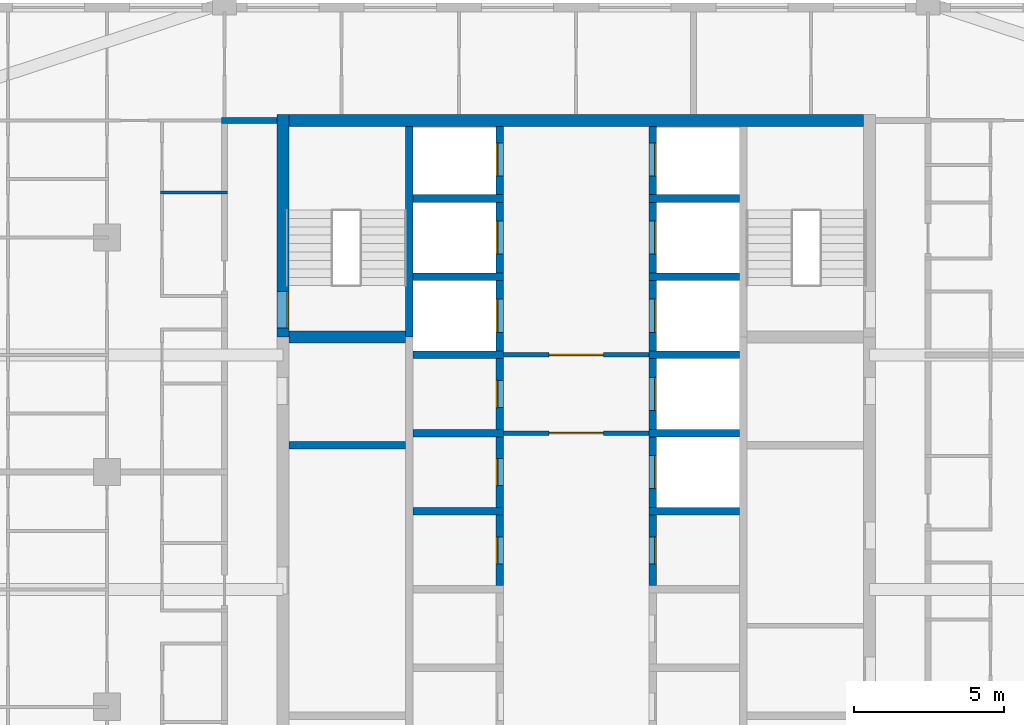
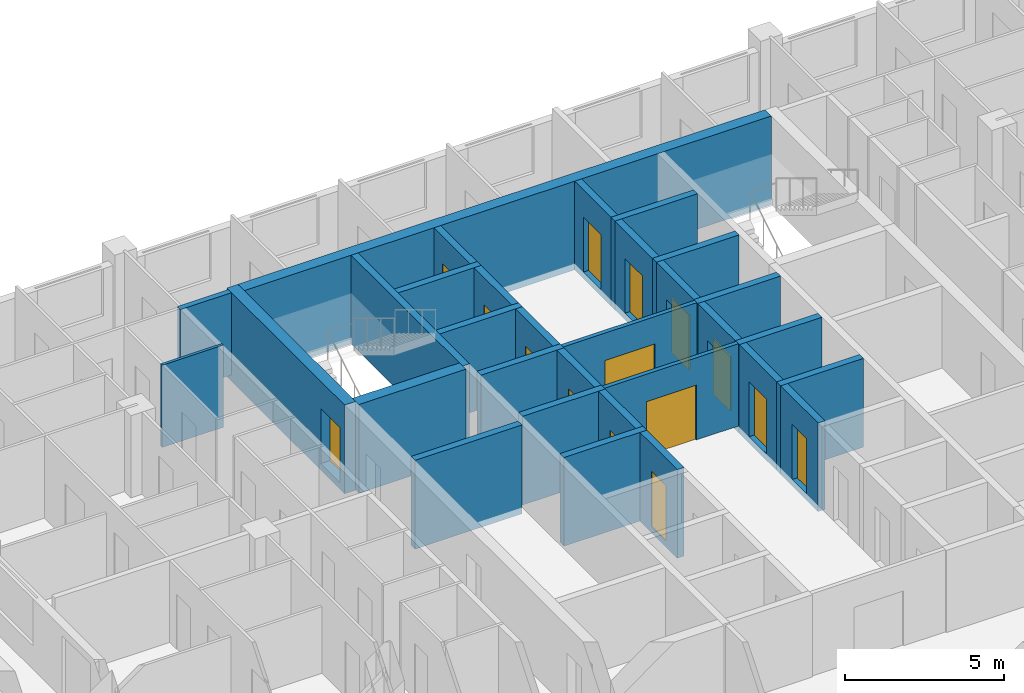
# One storey, part 9 of 17: 31 walls, 15 doors, 15 openings.
"""IFC4 building model written with IfcOpenShell, lengths in metres."""

from ifc_helpers import new_model, si_unit, direction, frame, frame_2d, origin, place, context, subcontext, project, spatial, rectangle, extrude, material, layer, layer_set, type_object, element, fill, save


model = new_model("IFC4")

# Units and contexts
model_context = context("Model", 3, precision=1e-05, world=origin(), true_north=direction((0.0, 1.0)))
body_context = subcontext(model_context, "Body", "Model", "MODEL_VIEW")
ifc_project = project(units=[si_unit("LENGTHUNIT", "METRE"), si_unit("AREAUNIT", "SQUARE_METRE"), si_unit("VOLUMEUNIT", "CUBIC_METRE"), si_unit("PLANEANGLEUNIT", "RADIAN"), si_unit("MASSUNIT", "GRAM", prefix="KILO")], contexts=[model_context])

# Site, building, storey
site_placement = place(None, origin())
site = spatial("IfcSite", under=ifc_project, at=site_placement, CompositionType="ELEMENT")
building_placement = place(site_placement, origin())
building = spatial("IfcBuilding", under=site, at=building_placement, Name="Ludao Terraces", CompositionType="ELEMENT")
storey_placement = place(building_placement, frame((0.0, 0.0, 221.10009765625)))
storey = spatial("IfcBuildingStorey", under=building, at=storey_placement, Name="L60", CompositionType="ELEMENT", Elevation=221.10009765625)

# Wall, opening, door
ifc_material_1 = material(Name="Concrete C50", Category="concrete")
ifc_layer_1 = layer(ifc_material_1, 0.39990234375)
ifc_layer_set_1 = layer_set([ifc_layer_1], Name="Core wall 400 C50")
wall_type_1 = type_object("IfcWallType", Name="Core wall 400 C50", PredefinedType="SOLIDWALL", material=ifc_layer_set_1)
wall_1_placement = place(storey_placement, frame((75.25, 77.300048828125, -0.25), z_axis=(0.0, 0.0, 1.0), x_axis=(0.0, 1.0, 0.0)))
wall_1 = element("IfcWall", 1, at=wall_1_placement, inside=storey, type_object=wall_type_1, Name="Core wall L60 outer-W-S1", PredefinedType="SOLIDWALL", context=body_context, shape_type="SweptSolid", body=[
    extrude(rectangle(XDim=7.39990234375, YDim=0.39990234375, at=frame_2d((3.699951171875, 0.0))), origin(), (0.0, 0.0, 1.0), 3.39990234375),
])
opening_1_placement = place(wall_1_placement, frame((0.300048828125, 0.0, 0.25)))
opening_1 = element("IfcOpeningElement", 2, at=opening_1_placement, cuts=wall_1, Name="Opening R21-110", PredefinedType="OPENING", context=body_context, shape_type="SweptSolid", body=[
    extrude(rectangle(XDim=1.199951171875, YDim=2.10009765625, at=frame_2d((0.60009765625, 1.050048828125))), frame((0.0, 0.2099609375, 0.0), z_axis=(0.0, -1.0, 0.0), x_axis=(1.0, 0.0, 0.0)), (0.0, 0.0, 1.0), 0.419921875),
])
ifc_material_2 = material(Name="Steel Q235", Category="steel")
door_type_1 = type_object("IfcDoorType", Name="INT Stair door 1200", OperationType="DOUBLE_DOOR_SINGLE_SWING", PredefinedType="DOOR", material=ifc_material_2)
door_1_placement = place(opening_1_placement, origin())
door_1 = element("IfcDoor", 3, at=door_1_placement, inside=storey, type_object=door_type_1, Name="DOOR 110", OperationType="DOUBLE_DOOR_SINGLE_SWING", OverallHeight=2.10009765625, OverallWidth=1.199951171875, PredefinedType="DOOR", context=body_context, shape_type="SweptSolid", body=[
    extrude(rectangle(XDim=1.199951171875, YDim=2.10009765625, at=frame_2d((0.60009765625, 1.050048828125))), frame((0.0, -0.134765625, 0.0), z_axis=(0.0, -1.0, 0.0), x_axis=(1.0, 0.0, 0.0)), (0.0, 0.0, 1.0), 0.050048828125),
])
fill(opening_1, door_1)

# Wall
wall_2_placement = place(storey_placement, frame((75.449951171875, 84.5, -0.25), z_axis=(0.0, 0.0, 1.0), x_axis=(1.0, 0.0, 0.0)))
element("IfcWall", 4, at=wall_2_placement, inside=storey, type_object=wall_type_1, Name="Core wall L60 outer-N", PredefinedType="SOLIDWALL", context=body_context, shape_type="SweptSolid", body=[
    extrude(rectangle(XDim=19.10009765625, YDim=0.39990234375, at=frame_2d((9.550048828125, 0.0))), origin(), (0.0, 0.0, 1.0), 3.39990234375),
])

# Wall, opening, door
ifc_material_3 = material(Name="Fire-rated gypsum plasterboard", Category="gypsum")
ifc_layer_2 = layer(ifc_material_3, 0.012451171875, Category="gypsum")
ifc_material_4 = material(Name="Mineral wool")
ifc_layer_3 = layer(ifc_material_4, 0.10009765625, Name="insulation")
ifc_layer_4 = layer(ifc_material_2, 0.02490234375, Name="stud")
ifc_layer_5 = layer(ifc_material_3, 0.012451171875, Category="gypsum")
ifc_layer_set_2 = layer_set([ifc_layer_2, ifc_layer_3, ifc_layer_4, ifc_layer_5], Name="INT Core partition 150")
wall_type_2 = type_object("IfcWallType", Name="INT Core partition 150", PredefinedType="PARTITIONING", material=ifc_layer_set_2)
wall_3_placement = place(storey_placement, frame((82.5751953125, 74.10009765625, 0.0), z_axis=(0.0, 0.0, 1.0), x_axis=(1.0, 0.0, 0.0)))
wall_3 = element("IfcWall", 5, at=wall_3_placement, inside=storey, type_object=wall_type_2, Name="PW-L60-PW048", PredefinedType="PARTITIONING", context=body_context, shape_type="SweptSolid", body=[
    extrude(rectangle(XDim=4.849853515625, YDim=0.14990234375, at=frame_2d((2.4248046875, 0.0))), origin(), (0.0, 0.0, 1.0), 3.14990234375),
])
opening_2_placement = place(wall_3_placement, frame((1.52490234375, 0.0, 0.0)))
opening_2 = element("IfcOpeningElement", 6, at=opening_2_placement, cuts=wall_3, Name="Opening R21-094", PredefinedType="OPENING", context=body_context, shape_type="SweptSolid", body=[
    extrude(rectangle(XDim=1.800048828125, YDim=2.10009765625, at=frame_2d((0.89990234375, 1.050048828125))), frame((0.0, 0.0849609375, 0.0), z_axis=(0.0, -1.0, 0.0), x_axis=(1.0, 0.0, 0.0)), (0.0, 0.0, 1.0), 0.169921875),
])
door_type_2 = type_object("IfcDoorType", Name="INT Fire lobby door 1800", OperationType="DOUBLE_DOOR_SINGLE_SWING", PredefinedType="DOOR", material=ifc_material_2)
door_2_placement = place(opening_2_placement, origin())
door_2 = element("IfcDoor", 7, at=door_2_placement, inside=storey, type_object=door_type_2, Name="DOOR 094", OperationType="DOUBLE_DOOR_SINGLE_SWING", OverallHeight=2.10009765625, OverallWidth=1.800048828125, PredefinedType="DOOR", context=body_context, shape_type="SweptSolid", body=[
    extrude(rectangle(XDim=1.800048828125, YDim=2.10009765625, at=frame_2d((0.89990234375, 1.050048828125))), frame((0.0, 0.02490234375, 0.0), z_axis=(0.0, -1.0, 0.0), x_axis=(1.0, 0.0, 0.0)), (0.0, 0.0, 1.0), 0.050048828125),
])
fill(opening_2, door_2)

wall_4_placement = place(storey_placement, frame((82.5751953125, 76.699951171875, 0.0), z_axis=(0.0, 0.0, 1.0), x_axis=(1.0, 0.0, 0.0)))
wall_4 = element("IfcWall", 8, at=wall_4_placement, inside=storey, type_object=wall_type_2, Name="PW-L60-PW053", PredefinedType="PARTITIONING", context=body_context, shape_type="SweptSolid", body=[
    extrude(rectangle(XDim=4.849853515625, YDim=0.14990234375, at=frame_2d((2.4248046875, 0.0))), origin(), (0.0, 0.0, 1.0), 3.14990234375),
])
opening_3_placement = place(wall_4_placement, frame((1.52490234375, 0.0, 0.0)))
opening_3 = element("IfcOpeningElement", 9, at=opening_3_placement, cuts=wall_4, Name="Opening R21-106", PredefinedType="OPENING", context=body_context, shape_type="SweptSolid", body=[
    extrude(rectangle(XDim=1.800048828125, YDim=2.10009765625, at=frame_2d((0.89990234375, 1.050048828125))), frame((0.0, 0.0849609375, 0.0), z_axis=(0.0, -1.0, 0.0), x_axis=(1.0, 0.0, 0.0)), (0.0, 0.0, 1.0), 0.169921875),
])
door_3_placement = place(opening_3_placement, origin())
door_3 = element("IfcDoor", 10, at=door_3_placement, inside=storey, type_object=door_type_2, Name="DOOR 106", OperationType="DOUBLE_DOOR_SINGLE_SWING", OverallHeight=2.10009765625, OverallWidth=1.800048828125, PredefinedType="DOOR", context=body_context, shape_type="SweptSolid", body=[
    extrude(rectangle(XDim=1.800048828125, YDim=2.10009765625, at=frame_2d((0.89990234375, 1.050048828125))), frame((0.0, 0.02490234375, 0.0), z_axis=(0.0, -1.0, 0.0), x_axis=(1.0, 0.0, 0.0)), (0.0, 0.0, 1.0), 0.050048828125),
])
fill(opening_3, door_3)

# Walls
ifc_material_5 = material(Name="Autoclaved aerated concrete block B06 A3.5", Category="concrete")
ifc_layer_6 = layer(ifc_material_5, 0.199951171875)
ifc_layer_set_3 = layer_set([ifc_layer_6], Name="INT Entrance wall 200")
wall_type_3 = type_object("IfcWallType", Name="INT Entrance wall 200", PredefinedType="PARTITIONING", material=ifc_layer_set_3)
wall_5_placement = place(storey_placement, frame((73.2001953125, 84.5, 0.0), z_axis=(0.0, 0.0, 1.0), x_axis=(1.0, 0.0, 0.0)))
element("IfcWall", 11, at=wall_5_placement, inside=storey, type_object=wall_type_3, Name="PW-L60-PW067", PredefinedType="PARTITIONING", context=body_context, shape_type="SweptSolid", body=[
    extrude(rectangle(XDim=1.849853515625, YDim=0.199951171875, at=frame_2d((0.9248046875, 0.0))), origin(), (0.0, 0.0, 1.0), 3.14990234375),
])
ifc_material_6 = material(Name="Gypsum plasterboard", Category="gypsum")
ifc_layer_7 = layer(ifc_material_6, 0.012451171875, Category="gypsum")
ifc_layer_8 = layer(ifc_material_4, 0.06005859375, Name="insulation")
ifc_layer_9 = layer(ifc_material_2, 0.014892578125, Name="stud")
ifc_layer_10 = layer(ifc_material_6, 0.012451171875, Category="gypsum")
ifc_layer_set_4 = layer_set([ifc_layer_7, ifc_layer_8, ifc_layer_9, ifc_layer_10], Name="INT Partition 100")
wall_type_4 = type_object("IfcWallType", Name="INT Partition 100", PredefinedType="PARTITIONING", material=ifc_layer_set_4)
wall_6_placement = place(storey_placement, frame((71.18017578125, 82.10009765625, 0.0), z_axis=(0.0, 0.0, 1.0), x_axis=(1.0, 0.0, 0.0)))
element("IfcWall", 12, at=wall_6_placement, inside=storey, type_object=wall_type_4, Name="PW-L60-PW062", PredefinedType="PARTITIONING", context=body_context, shape_type="SweptSolid", body=[
    extrude(rectangle(XDim=2.219970703125, YDim=0.10009765625, at=frame_2d((1.10986328125, 0.0))), origin(), (0.0, 0.0, 1.0), 3.14990234375),
])
ifc_layer_11 = layer(ifc_material_1, 0.25)
ifc_layer_set_5 = layer_set([ifc_layer_11], Name="Shaft wall 250 C50")
wall_type_5 = type_object("IfcWallType", Name="Shaft wall 250 C50", PredefinedType="SOLIDWALL", material=ifc_layer_set_5)
wall_7_placement = place(storey_placement, frame((79.449951171875, 77.300048828125, -0.25), z_axis=(0.0, 0.0, 1.0), x_axis=(0.0, 1.0, 0.0)))
element("IfcWall", 13, at=wall_7_placement, inside=storey, type_object=wall_type_5, Name="Core wall L60 back-W-S1", PredefinedType="SOLIDWALL", context=body_context, shape_type="SweptSolid", body=[
    extrude(rectangle(XDim=7.0, YDim=0.25, at=frame_2d((3.5, 0.0))), origin(), (0.0, 0.0, 1.0), 3.39990234375),
])

# Wall, opening, door
wall_8_placement = place(storey_placement, frame((82.449951171875, 69.02490234375, -0.25), z_axis=(0.0, 0.0, 1.0), x_axis=(0.0, 1.0, 0.0)))
wall_8 = element("IfcWall", 14, at=wall_8_placement, inside=storey, type_object=wall_type_5, Name="Core wall L60 front-W4", PredefinedType="SOLIDWALL", context=body_context, shape_type="SweptSolid", body=[
    extrude(rectangle(XDim=2.35009765625, YDim=0.25, at=frame_2d((1.175048828125, 0.0))), origin(), (0.0, 0.0, 1.0), 3.39990234375),
])
opening_4_placement = place(wall_8_placement, frame((0.72509765625, 0.0, 0.25)))
opening_4 = element("IfcOpeningElement", 15, at=opening_4_placement, cuts=wall_8, Name="Opening R21-080", PredefinedType="OPENING", context=body_context, shape_type="SweptSolid", body=[
    extrude(rectangle(XDim=0.89990234375, YDim=2.10009765625, at=frame_2d((0.449951171875, 1.050048828125))), frame((0.0, 0.135009765625, 0.0), z_axis=(0.0, -1.0, 0.0), x_axis=(1.0, 0.0, 0.0)), (0.0, 0.0, 1.0), 0.27001953125),
])
ifc_material_7 = material(Name="Timber door leaf", Category="wood")
door_type_3 = type_object("IfcDoorType", Name="INT Room door 900", OperationType="SINGLE_SWING_LEFT", PredefinedType="DOOR", material=ifc_material_7)
door_4_placement = place(opening_4_placement, origin())
door_4 = element("IfcDoor", 16, at=door_4_placement, inside=storey, type_object=door_type_3, Name="DOOR 080", OperationType="SINGLE_SWING_LEFT", OverallHeight=2.10009765625, OverallWidth=0.89990234375, PredefinedType="DOOR", context=body_context, shape_type="SweptSolid", body=[
    extrude(rectangle(XDim=0.89990234375, YDim=2.10009765625, at=frame_2d((0.449951171875, 1.050048828125))), frame((0.0, 0.10986328125, 0.0), z_axis=(0.0, -1.0, 0.0), x_axis=(1.0, 0.0, 0.0)), (0.0, 0.0, 1.0), 0.050048828125),
])
fill(opening_4, door_4)

# Wall
wall_9_placement = place(storey_placement, frame((79.574951171875, 71.5, -0.25), z_axis=(0.0, 0.0, 1.0), x_axis=(1.0, 0.0, 0.0)))
element("IfcWall", 17, at=wall_9_placement, inside=storey, type_object=wall_type_5, Name="Core wall L60 div-W5", PredefinedType="SOLIDWALL", context=body_context, shape_type="SweptSolid", body=[
    extrude(rectangle(XDim=3.0, YDim=0.25, at=frame_2d((1.5, 0.0))), origin(), (0.0, 0.0, 1.0), 3.39990234375),
])

# Wall, opening, door
wall_10_placement = place(storey_placement, frame((82.449951171875, 71.625, -0.25), z_axis=(0.0, 0.0, 1.0), x_axis=(0.0, 1.0, 0.0)))
wall_10 = element("IfcWall", 18, at=wall_10_placement, inside=storey, type_object=wall_type_5, Name="Core wall L60 front-W5", PredefinedType="SOLIDWALL", context=body_context, shape_type="SweptSolid", body=[
    extrude(rectangle(XDim=2.35009765625, YDim=0.25, at=frame_2d((1.175048828125, 0.0))), origin(), (0.0, 0.0, 1.0), 3.39990234375),
])
opening_5_placement = place(wall_10_placement, frame((0.72509765625, 0.0, 0.25)))
opening_5 = element("IfcOpeningElement", 19, at=opening_5_placement, cuts=wall_10, Name="Opening R21-090", PredefinedType="OPENING", context=body_context, shape_type="SweptSolid", body=[
    extrude(rectangle(XDim=0.89990234375, YDim=2.10009765625, at=frame_2d((0.449951171875, 1.050048828125))), frame((0.0, 0.135009765625, 0.0), z_axis=(0.0, -1.0, 0.0), x_axis=(1.0, 0.0, 0.0)), (0.0, 0.0, 1.0), 0.27001953125),
])
door_5_placement = place(opening_5_placement, origin())
door_5 = element("IfcDoor", 20, at=door_5_placement, inside=storey, type_object=door_type_3, Name="DOOR 090", OperationType="SINGLE_SWING_RIGHT", OverallHeight=2.10009765625, OverallWidth=0.89990234375, PredefinedType="DOOR", context=body_context, shape_type="SweptSolid", body=[
    extrude(rectangle(XDim=0.89990234375, YDim=2.10009765625, at=frame_2d((0.449951171875, 1.050048828125))), frame((0.0, 0.10986328125, 0.0), z_axis=(0.0, -1.0, 0.0), x_axis=(1.0, 0.0, 0.0)), (0.0, 0.0, 1.0), 0.050048828125),
])
fill(opening_5, door_5)

# Wall
wall_11_placement = place(storey_placement, frame((79.574951171875, 74.10009765625, -0.25), z_axis=(0.0, 0.0, 1.0), x_axis=(1.0, 0.0, 0.0)))
element("IfcWall", 21, at=wall_11_placement, inside=storey, type_object=wall_type_5, Name="Core wall L60 div-W6", PredefinedType="SOLIDWALL", context=body_context, shape_type="SweptSolid", body=[
    extrude(rectangle(XDim=3.0, YDim=0.25, at=frame_2d((1.5, 0.0))), origin(), (0.0, 0.0, 1.0), 3.39990234375),
])

# Wall, opening, door
wall_12_placement = place(storey_placement, frame((82.449951171875, 74.22509765625, -0.25), z_axis=(0.0, 0.0, 1.0), x_axis=(0.0, 1.0, 0.0)))
wall_12 = element("IfcWall", 22, at=wall_12_placement, inside=storey, type_object=wall_type_5, Name="Core wall L60 front-W6", PredefinedType="SOLIDWALL", context=body_context, shape_type="SweptSolid", body=[
    extrude(rectangle(XDim=2.349853515625, YDim=0.25, at=frame_2d((1.1748046875, 0.0))), origin(), (0.0, 0.0, 1.0), 3.39990234375),
])
opening_6_placement = place(wall_12_placement, frame((0.72509765625, 0.0, 0.25)))
opening_6 = element("IfcOpeningElement", 23, at=opening_6_placement, cuts=wall_12, Name="Opening R21-097", PredefinedType="OPENING", context=body_context, shape_type="SweptSolid", body=[
    extrude(rectangle(XDim=0.89990234375, YDim=2.10009765625, at=frame_2d((0.449951171875, 1.050048828125))), frame((0.0, 0.135009765625, 0.0), z_axis=(0.0, -1.0, 0.0), x_axis=(1.0, 0.0, 0.0)), (0.0, 0.0, 1.0), 0.27001953125),
])
door_6_placement = place(opening_6_placement, origin())
door_6 = element("IfcDoor", 24, at=door_6_placement, inside=storey, type_object=door_type_3, Name="DOOR 097", OperationType="SINGLE_SWING_LEFT", OverallHeight=2.10009765625, OverallWidth=0.89990234375, PredefinedType="DOOR", context=body_context, shape_type="SweptSolid", body=[
    extrude(rectangle(XDim=0.89990234375, YDim=2.10009765625, at=frame_2d((0.449951171875, 1.050048828125))), frame((0.0, 0.10986328125, 0.0), z_axis=(0.0, -1.0, 0.0), x_axis=(1.0, 0.0, 0.0)), (0.0, 0.0, 1.0), 0.050048828125),
])
fill(opening_6, door_6)

# Wall
wall_13_placement = place(storey_placement, frame((79.574951171875, 76.699951171875, -0.25), z_axis=(0.0, 0.0, 1.0), x_axis=(1.0, 0.0, 0.0)))
element("IfcWall", 25, at=wall_13_placement, inside=storey, type_object=wall_type_5, Name="Core wall L60 div-W7", PredefinedType="SOLIDWALL", context=body_context, shape_type="SweptSolid", body=[
    extrude(rectangle(XDim=3.0, YDim=0.25, at=frame_2d((1.5, 0.0))), origin(), (0.0, 0.0, 1.0), 3.39990234375),
])

# Wall, opening, door
wall_14_placement = place(storey_placement, frame((82.449951171875, 76.824951171875, -0.25), z_axis=(0.0, 0.0, 1.0), x_axis=(0.0, 1.0, 0.0)))
wall_14 = element("IfcWall", 26, at=wall_14_placement, inside=storey, type_object=wall_type_5, Name="Core wall L60 front-W7", PredefinedType="SOLIDWALL", context=body_context, shape_type="SweptSolid", body=[
    extrude(rectangle(XDim=2.35009765625, YDim=0.25, at=frame_2d((1.175048828125, 0.0))), origin(), (0.0, 0.0, 1.0), 3.39990234375),
])
opening_7_placement = place(wall_14_placement, frame((0.625, 0.0, 0.25)))
opening_7 = element("IfcOpeningElement", 27, at=opening_7_placement, cuts=wall_14, Name="Opening LD-FF1", PredefinedType="OPENING", context=body_context, shape_type="SweptSolid", body=[
    extrude(rectangle(XDim=1.10009765625, YDim=2.10009765625, at=frame_2d((0.550048828125, 1.050048828125))), frame((0.0, 0.135009765625, 0.0), z_axis=(0.0, -1.0, 0.0), x_axis=(1.0, 0.0, 0.0)), (0.0, 0.0, 1.0), 0.27001953125),
])
ifc_material_8 = material(Name="Stainless steel 304", Category="steel")
door_type_4 = type_object("IfcDoorType", Name="INT Lift landing door 1100", OperationType="SLIDING_TO_LEFT", PredefinedType="DOOR", material=ifc_material_8)
door_7_placement = place(opening_7_placement, origin())
door_7 = element("IfcDoor", 28, at=door_7_placement, inside=storey, type_object=door_type_4, Name="LANDING DOOR FF1 L60", OperationType="SLIDING_TO_LEFT", OverallHeight=2.10009765625, OverallWidth=1.10009765625, PredefinedType="DOOR", context=body_context, shape_type="SweptSolid", body=[
    extrude(rectangle(XDim=1.10009765625, YDim=2.10009765625, at=frame_2d((0.550048828125, 1.050048828125))), frame((0.0, 0.10986328125, 0.0), z_axis=(0.0, -1.0, 0.0), x_axis=(1.0, 0.0, 0.0)), (0.0, 0.0, 1.0), 0.050048828125),
])
fill(opening_7, door_7)

# Wall
wall_15_placement = place(storey_placement, frame((79.574951171875, 79.300048828125, -0.25), z_axis=(0.0, 0.0, 1.0), x_axis=(1.0, 0.0, 0.0)))
element("IfcWall", 29, at=wall_15_placement, inside=storey, type_object=wall_type_5, Name="Core wall L60 div-W8", PredefinedType="SOLIDWALL", context=body_context, shape_type="SweptSolid", body=[
    extrude(rectangle(XDim=3.0, YDim=0.25, at=frame_2d((1.5, 0.0))), origin(), (0.0, 0.0, 1.0), 3.39990234375),
])

# Wall, opening, door
wall_16_placement = place(storey_placement, frame((82.449951171875, 79.425048828125, -0.25), z_axis=(0.0, 0.0, 1.0), x_axis=(0.0, 1.0, 0.0)))
wall_16 = element("IfcWall", 30, at=wall_16_placement, inside=storey, type_object=wall_type_5, Name="Core wall L60 front-W8", PredefinedType="SOLIDWALL", context=body_context, shape_type="SweptSolid", body=[
    extrude(rectangle(XDim=2.349853515625, YDim=0.25, at=frame_2d((1.1748046875, 0.0))), origin(), (0.0, 0.0, 1.0), 3.39990234375),
])
opening_8_placement = place(wall_16_placement, frame((0.625, 0.0, 0.25)))
opening_8 = element("IfcOpeningElement", 31, at=opening_8_placement, cuts=wall_16, Name="Opening LD-FF2", PredefinedType="OPENING", context=body_context, shape_type="SweptSolid", body=[
    extrude(rectangle(XDim=1.10009765625, YDim=2.10009765625, at=frame_2d((0.550048828125, 1.050048828125))), frame((0.0, 0.135009765625, 0.0), z_axis=(0.0, -1.0, 0.0), x_axis=(1.0, 0.0, 0.0)), (0.0, 0.0, 1.0), 0.27001953125),
])
door_8_placement = place(opening_8_placement, origin())
door_8 = element("IfcDoor", 32, at=door_8_placement, inside=storey, type_object=door_type_4, Name="LANDING DOOR FF2 L60", OperationType="SLIDING_TO_LEFT", OverallHeight=2.10009765625, OverallWidth=1.10009765625, PredefinedType="DOOR", context=body_context, shape_type="SweptSolid", body=[
    extrude(rectangle(XDim=1.10009765625, YDim=2.10009765625, at=frame_2d((0.550048828125, 1.050048828125))), frame((0.0, 0.10986328125, 0.0), z_axis=(0.0, -1.0, 0.0), x_axis=(1.0, 0.0, 0.0)), (0.0, 0.0, 1.0), 0.050048828125),
])
fill(opening_8, door_8)

# Wall
wall_17_placement = place(storey_placement, frame((79.574951171875, 81.89990234375, -0.25), z_axis=(0.0, 0.0, 1.0), x_axis=(1.0, 0.0, 0.0)))
element("IfcWall", 33, at=wall_17_placement, inside=storey, type_object=wall_type_5, Name="Core wall L60 div-W9", PredefinedType="SOLIDWALL", context=body_context, shape_type="SweptSolid", body=[
    extrude(rectangle(XDim=3.0, YDim=0.25, at=frame_2d((1.5, 0.0))), origin(), (0.0, 0.0, 1.0), 3.39990234375),
])

# Wall, opening, door
wall_18_placement = place(storey_placement, frame((82.449951171875, 82.02490234375, -0.25), z_axis=(0.0, 0.0, 1.0), x_axis=(0.0, 1.0, 0.0)))
wall_18 = element("IfcWall", 34, at=wall_18_placement, inside=storey, type_object=wall_type_5, Name="Core wall L60 front-W9", PredefinedType="SOLIDWALL", context=body_context, shape_type="SweptSolid", body=[
    extrude(rectangle(XDim=2.275146484375, YDim=0.25, at=frame_2d((1.1376953125, 0.0))), origin(), (0.0, 0.0, 1.0), 3.39990234375),
])
opening_9_placement = place(wall_18_placement, frame((0.625, 0.0, 0.25)))
opening_9 = element("IfcOpeningElement", 35, at=opening_9_placement, cuts=wall_18, Name="Opening LD-LB6", PredefinedType="OPENING", context=body_context, shape_type="SweptSolid", body=[
    extrude(rectangle(XDim=1.10009765625, YDim=2.10009765625, at=frame_2d((0.550048828125, 1.050048828125))), frame((0.0, 0.135009765625, 0.0), z_axis=(0.0, -1.0, 0.0), x_axis=(1.0, 0.0, 0.0)), (0.0, 0.0, 1.0), 0.27001953125),
])
door_9_placement = place(opening_9_placement, origin())
door_9 = element("IfcDoor", 36, at=door_9_placement, inside=storey, type_object=door_type_4, Name="LANDING DOOR LB6 L60", OperationType="SLIDING_TO_RIGHT", OverallHeight=2.10009765625, OverallWidth=1.10009765625, PredefinedType="DOOR", context=body_context, shape_type="SweptSolid", body=[
    extrude(rectangle(XDim=1.10009765625, YDim=2.10009765625, at=frame_2d((0.550048828125, 1.050048828125))), frame((0.0, 0.10986328125, 0.0), z_axis=(0.0, -1.0, 0.0), x_axis=(1.0, 0.0, 0.0)), (0.0, 0.0, 1.0), 0.050048828125),
])
fill(opening_9, door_9)

wall_19_placement = place(storey_placement, frame((87.550048828125, 69.02490234375, -0.25), z_axis=(0.0, 0.0, 1.0), x_axis=(0.0, 1.0, 0.0)))
wall_19 = element("IfcWall", 37, at=wall_19_placement, inside=storey, type_object=wall_type_5, Name="Core wall L60 front-E4", PredefinedType="SOLIDWALL", context=body_context, shape_type="SweptSolid", body=[
    extrude(rectangle(XDim=2.35009765625, YDim=0.25, at=frame_2d((1.175048828125, 0.0))), origin(), (0.0, 0.0, 1.0), 3.39990234375),
])
opening_10_placement = place(wall_19_placement, frame((0.72509765625, 0.0, 0.25)))
opening_10 = element("IfcOpeningElement", 38, at=opening_10_placement, cuts=wall_19, Name="Opening R21-081", PredefinedType="OPENING", context=body_context, shape_type="SweptSolid", body=[
    extrude(rectangle(XDim=0.89990234375, YDim=2.10009765625, at=frame_2d((0.449951171875, 1.050048828125))), frame((0.0, 0.135009765625, 0.0), z_axis=(0.0, -1.0, 0.0), x_axis=(1.0, 0.0, 0.0)), (0.0, 0.0, 1.0), 0.27001953125),
])
door_10_placement = place(opening_10_placement, origin())
door_10 = element("IfcDoor", 39, at=door_10_placement, inside=storey, type_object=door_type_3, Name="DOOR 081", OperationType="SINGLE_SWING_RIGHT", OverallHeight=2.10009765625, OverallWidth=0.89990234375, PredefinedType="DOOR", context=body_context, shape_type="SweptSolid", body=[
    extrude(rectangle(XDim=0.89990234375, YDim=2.10009765625, at=frame_2d((0.449951171875, 1.050048828125))), frame((0.0, -0.06005859375, 0.0), z_axis=(0.0, -1.0, 0.0), x_axis=(1.0, 0.0, 0.0)), (0.0, 0.0, 1.0), 0.050048828125),
])
fill(opening_10, door_10)

# Wall
wall_20_placement = place(storey_placement, frame((87.425048828125, 71.5, -0.25), z_axis=(0.0, 0.0, 1.0), x_axis=(1.0, 0.0, 0.0)))
element("IfcWall", 40, at=wall_20_placement, inside=storey, type_object=wall_type_5, Name="Core wall L60 div-E5", PredefinedType="SOLIDWALL", context=body_context, shape_type="SweptSolid", body=[
    extrude(rectangle(XDim=3.0, YDim=0.25, at=frame_2d((1.5, 0.0))), origin(), (0.0, 0.0, 1.0), 3.39990234375),
])

# Wall, opening, door
wall_21_placement = place(storey_placement, frame((87.550048828125, 71.625, -0.25), z_axis=(0.0, 0.0, 1.0), x_axis=(0.0, 1.0, 0.0)))
wall_21 = element("IfcWall", 41, at=wall_21_placement, inside=storey, type_object=wall_type_5, Name="Core wall L60 front-E5", PredefinedType="SOLIDWALL", context=body_context, shape_type="SweptSolid", body=[
    extrude(rectangle(XDim=2.35009765625, YDim=0.25, at=frame_2d((1.175048828125, 0.0))), origin(), (0.0, 0.0, 1.0), 3.39990234375),
])
opening_11_placement = place(wall_21_placement, frame((0.625, 0.0, 0.25)))
opening_11 = element("IfcOpeningElement", 42, at=opening_11_placement, cuts=wall_21, Name="Opening LD-LB1", PredefinedType="OPENING", context=body_context, shape_type="SweptSolid", body=[
    extrude(rectangle(XDim=1.10009765625, YDim=2.10009765625, at=frame_2d((0.550048828125, 1.050048828125))), frame((0.0, 0.135009765625, 0.0), z_axis=(0.0, -1.0, 0.0), x_axis=(1.0, 0.0, 0.0)), (0.0, 0.0, 1.0), 0.27001953125),
])
door_11_placement = place(opening_11_placement, origin())
door_11 = element("IfcDoor", 43, at=door_11_placement, inside=storey, type_object=door_type_4, Name="LANDING DOOR LB1 L60", OperationType="SLIDING_TO_LEFT", OverallHeight=2.10009765625, OverallWidth=1.10009765625, PredefinedType="DOOR", context=body_context, shape_type="SweptSolid", body=[
    extrude(rectangle(XDim=1.10009765625, YDim=2.10009765625, at=frame_2d((0.550048828125, 1.050048828125))), frame((0.0, -0.06005859375, 0.0), z_axis=(0.0, -1.0, 0.0), x_axis=(1.0, 0.0, 0.0)), (0.0, 0.0, 1.0), 0.050048828125),
])
fill(opening_11, door_11)

# Wall
wall_22_placement = place(storey_placement, frame((87.425048828125, 74.10009765625, -0.25), z_axis=(0.0, 0.0, 1.0), x_axis=(1.0, 0.0, 0.0)))
element("IfcWall", 44, at=wall_22_placement, inside=storey, type_object=wall_type_5, Name="Core wall L60 div-E6", PredefinedType="SOLIDWALL", context=body_context, shape_type="SweptSolid", body=[
    extrude(rectangle(XDim=3.0, YDim=0.25, at=frame_2d((1.5, 0.0))), origin(), (0.0, 0.0, 1.0), 3.39990234375),
])

# Wall, opening, door
wall_23_placement = place(storey_placement, frame((87.550048828125, 74.22509765625, -0.25), z_axis=(0.0, 0.0, 1.0), x_axis=(0.0, 1.0, 0.0)))
wall_23 = element("IfcWall", 45, at=wall_23_placement, inside=storey, type_object=wall_type_5, Name="Core wall L60 front-E6", PredefinedType="SOLIDWALL", context=body_context, shape_type="SweptSolid", body=[
    extrude(rectangle(XDim=2.349853515625, YDim=0.25, at=frame_2d((1.1748046875, 0.0))), origin(), (0.0, 0.0, 1.0), 3.39990234375),
])
opening_12_placement = place(wall_23_placement, frame((0.625, 0.0, 0.25)))
opening_12 = element("IfcOpeningElement", 46, at=opening_12_placement, cuts=wall_23, Name="Opening LD-LB2", PredefinedType="OPENING", context=body_context, shape_type="SweptSolid", body=[
    extrude(rectangle(XDim=1.10009765625, YDim=2.10009765625, at=frame_2d((0.550048828125, 1.050048828125))), frame((0.0, 0.135009765625, 0.0), z_axis=(0.0, -1.0, 0.0), x_axis=(1.0, 0.0, 0.0)), (0.0, 0.0, 1.0), 0.27001953125),
])
door_12_placement = place(opening_12_placement, origin())
door_12 = element("IfcDoor", 47, at=door_12_placement, inside=storey, type_object=door_type_4, Name="LANDING DOOR LB2 L60", OperationType="SLIDING_TO_LEFT", OverallHeight=2.10009765625, OverallWidth=1.10009765625, PredefinedType="DOOR", context=body_context, shape_type="SweptSolid", body=[
    extrude(rectangle(XDim=1.10009765625, YDim=2.10009765625, at=frame_2d((0.550048828125, 1.050048828125))), frame((0.0, -0.06005859375, 0.0), z_axis=(0.0, -1.0, 0.0), x_axis=(1.0, 0.0, 0.0)), (0.0, 0.0, 1.0), 0.050048828125),
])
fill(opening_12, door_12)

# Wall
wall_24_placement = place(storey_placement, frame((87.425048828125, 76.699951171875, -0.25), z_axis=(0.0, 0.0, 1.0), x_axis=(1.0, 0.0, 0.0)))
element("IfcWall", 48, at=wall_24_placement, inside=storey, type_object=wall_type_5, Name="Core wall L60 div-E7", PredefinedType="SOLIDWALL", context=body_context, shape_type="SweptSolid", body=[
    extrude(rectangle(XDim=3.0, YDim=0.25, at=frame_2d((1.5, 0.0))), origin(), (0.0, 0.0, 1.0), 3.39990234375),
])

# Wall, opening, door
wall_25_placement = place(storey_placement, frame((87.550048828125, 76.824951171875, -0.25), z_axis=(0.0, 0.0, 1.0), x_axis=(0.0, 1.0, 0.0)))
wall_25 = element("IfcWall", 49, at=wall_25_placement, inside=storey, type_object=wall_type_5, Name="Core wall L60 front-E7", PredefinedType="SOLIDWALL", context=body_context, shape_type="SweptSolid", body=[
    extrude(rectangle(XDim=2.35009765625, YDim=0.25, at=frame_2d((1.175048828125, 0.0))), origin(), (0.0, 0.0, 1.0), 3.39990234375),
])
opening_13_placement = place(wall_25_placement, frame((0.625, 0.0, 0.25)))
opening_13 = element("IfcOpeningElement", 50, at=opening_13_placement, cuts=wall_25, Name="Opening LD-LB3", PredefinedType="OPENING", context=body_context, shape_type="SweptSolid", body=[
    extrude(rectangle(XDim=1.10009765625, YDim=2.10009765625, at=frame_2d((0.550048828125, 1.050048828125))), frame((0.0, 0.135009765625, 0.0), z_axis=(0.0, -1.0, 0.0), x_axis=(1.0, 0.0, 0.0)), (0.0, 0.0, 1.0), 0.27001953125),
])
door_13_placement = place(opening_13_placement, origin())
door_13 = element("IfcDoor", 51, at=door_13_placement, inside=storey, type_object=door_type_4, Name="LANDING DOOR LB3 L60", OperationType="SLIDING_TO_LEFT", OverallHeight=2.10009765625, OverallWidth=1.10009765625, PredefinedType="DOOR", context=body_context, shape_type="SweptSolid", body=[
    extrude(rectangle(XDim=1.10009765625, YDim=2.10009765625, at=frame_2d((0.550048828125, 1.050048828125))), frame((0.0, -0.06005859375, 0.0), z_axis=(0.0, -1.0, 0.0), x_axis=(1.0, 0.0, 0.0)), (0.0, 0.0, 1.0), 0.050048828125),
])
fill(opening_13, door_13)

# Wall
wall_26_placement = place(storey_placement, frame((87.425048828125, 79.300048828125, -0.25), z_axis=(0.0, 0.0, 1.0), x_axis=(1.0, 0.0, 0.0)))
element("IfcWall", 52, at=wall_26_placement, inside=storey, type_object=wall_type_5, Name="Core wall L60 div-E8", PredefinedType="SOLIDWALL", context=body_context, shape_type="SweptSolid", body=[
    extrude(rectangle(XDim=3.0, YDim=0.25, at=frame_2d((1.5, 0.0))), origin(), (0.0, 0.0, 1.0), 3.39990234375),
])

# Wall, opening, door
wall_27_placement = place(storey_placement, frame((87.550048828125, 79.425048828125, -0.25), z_axis=(0.0, 0.0, 1.0), x_axis=(0.0, 1.0, 0.0)))
wall_27 = element("IfcWall", 53, at=wall_27_placement, inside=storey, type_object=wall_type_5, Name="Core wall L60 front-E8", PredefinedType="SOLIDWALL", context=body_context, shape_type="SweptSolid", body=[
    extrude(rectangle(XDim=2.349853515625, YDim=0.25, at=frame_2d((1.1748046875, 0.0))), origin(), (0.0, 0.0, 1.0), 3.39990234375),
])
opening_14_placement = place(wall_27_placement, frame((0.625, 0.0, 0.25)))
opening_14 = element("IfcOpeningElement", 54, at=opening_14_placement, cuts=wall_27, Name="Opening LD-LB4", PredefinedType="OPENING", context=body_context, shape_type="SweptSolid", body=[
    extrude(rectangle(XDim=1.10009765625, YDim=2.10009765625, at=frame_2d((0.550048828125, 1.050048828125))), frame((0.0, 0.135009765625, 0.0), z_axis=(0.0, -1.0, 0.0), x_axis=(1.0, 0.0, 0.0)), (0.0, 0.0, 1.0), 0.27001953125),
])
door_14_placement = place(opening_14_placement, origin())
door_14 = element("IfcDoor", 55, at=door_14_placement, inside=storey, type_object=door_type_4, Name="LANDING DOOR LB4 L60", OperationType="SLIDING_TO_RIGHT", OverallHeight=2.10009765625, OverallWidth=1.10009765625, PredefinedType="DOOR", context=body_context, shape_type="SweptSolid", body=[
    extrude(rectangle(XDim=1.10009765625, YDim=2.10009765625, at=frame_2d((0.550048828125, 1.050048828125))), frame((0.0, -0.06005859375, 0.0), z_axis=(0.0, -1.0, 0.0), x_axis=(1.0, 0.0, 0.0)), (0.0, 0.0, 1.0), 0.050048828125),
])
fill(opening_14, door_14)

# Wall
wall_28_placement = place(storey_placement, frame((87.425048828125, 81.89990234375, -0.25), z_axis=(0.0, 0.0, 1.0), x_axis=(1.0, 0.0, 0.0)))
element("IfcWall", 56, at=wall_28_placement, inside=storey, type_object=wall_type_5, Name="Core wall L60 div-E9", PredefinedType="SOLIDWALL", context=body_context, shape_type="SweptSolid", body=[
    extrude(rectangle(XDim=3.0, YDim=0.25, at=frame_2d((1.5, 0.0))), origin(), (0.0, 0.0, 1.0), 3.39990234375),
])

# Wall, opening, door
wall_29_placement = place(storey_placement, frame((87.550048828125, 82.02490234375, -0.25), z_axis=(0.0, 0.0, 1.0), x_axis=(0.0, 1.0, 0.0)))
wall_29 = element("IfcWall", 57, at=wall_29_placement, inside=storey, type_object=wall_type_5, Name="Core wall L60 front-E9", PredefinedType="SOLIDWALL", context=body_context, shape_type="SweptSolid", body=[
    extrude(rectangle(XDim=2.275146484375, YDim=0.25, at=frame_2d((1.1376953125, 0.0))), origin(), (0.0, 0.0, 1.0), 3.39990234375),
])
opening_15_placement = place(wall_29_placement, frame((0.625, 0.0, 0.25)))
opening_15 = element("IfcOpeningElement", 58, at=opening_15_placement, cuts=wall_29, Name="Opening LD-LB5", PredefinedType="OPENING", context=body_context, shape_type="SweptSolid", body=[
    extrude(rectangle(XDim=1.10009765625, YDim=2.10009765625, at=frame_2d((0.550048828125, 1.050048828125))), frame((0.0, 0.135009765625, 0.0), z_axis=(0.0, -1.0, 0.0), x_axis=(1.0, 0.0, 0.0)), (0.0, 0.0, 1.0), 0.27001953125),
])
door_15_placement = place(opening_15_placement, origin())
door_15 = element("IfcDoor", 59, at=door_15_placement, inside=storey, type_object=door_type_4, Name="LANDING DOOR LB5 L60", OperationType="SLIDING_TO_RIGHT", OverallHeight=2.10009765625, OverallWidth=1.10009765625, PredefinedType="DOOR", context=body_context, shape_type="SweptSolid", body=[
    extrude(rectangle(XDim=1.10009765625, YDim=2.10009765625, at=frame_2d((0.550048828125, 1.050048828125))), frame((0.0, -0.06005859375, 0.0), z_axis=(0.0, -1.0, 0.0), x_axis=(1.0, 0.0, 0.0)), (0.0, 0.0, 1.0), 0.050048828125),
])
fill(opening_15, door_15)

# Walls
wall_30_placement = place(storey_placement, frame((75.449951171875, 73.699951171875, -0.25), z_axis=(0.0, 0.0, 1.0), x_axis=(1.0, 0.0, 0.0)))
element("IfcWall", 60, at=wall_30_placement, inside=storey, type_object=wall_type_5, Name="Core wall L60 riser-b-W", PredefinedType="SOLIDWALL", context=body_context, shape_type="SweptSolid", body=[
    extrude(rectangle(XDim=3.875, YDim=0.25, at=frame_2d((1.9375, 0.0))), origin(), (0.0, 0.0, 1.0), 3.39990234375),
])
ifc_layer_12 = layer(ifc_material_1, 0.39990234375)
ifc_layer_set_6 = layer_set([ifc_layer_12], Name="Shaft wall 400 C50")
wall_type_6 = type_object("IfcWallType", Name="Shaft wall 400 C50", PredefinedType="SOLIDWALL", material=ifc_layer_set_6)
wall_31_placement = place(storey_placement, frame((75.449951171875, 77.300048828125, -0.25), z_axis=(0.0, 0.0, 1.0), x_axis=(1.0, 0.0, 0.0)))
element("IfcWall", 61, at=wall_31_placement, inside=storey, type_object=wall_type_6, Name="Core wall L60 stair-W", PredefinedType="SOLIDWALL", context=body_context, shape_type="SweptSolid", body=[
    extrude(rectangle(XDim=3.875, YDim=0.39990234375, at=frame_2d((1.9375, 0.0))), origin(), (0.0, 0.0, 1.0), 3.39990234375),
])

save(model, "model.ifc")
